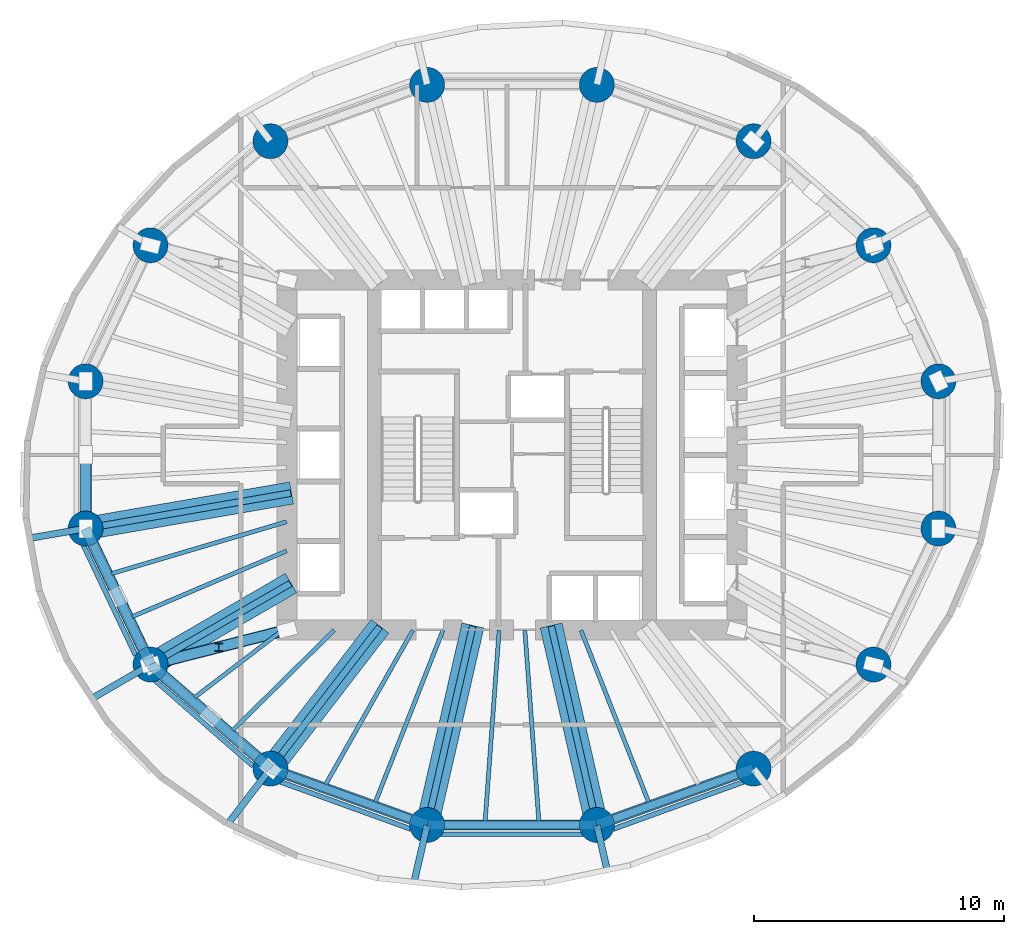
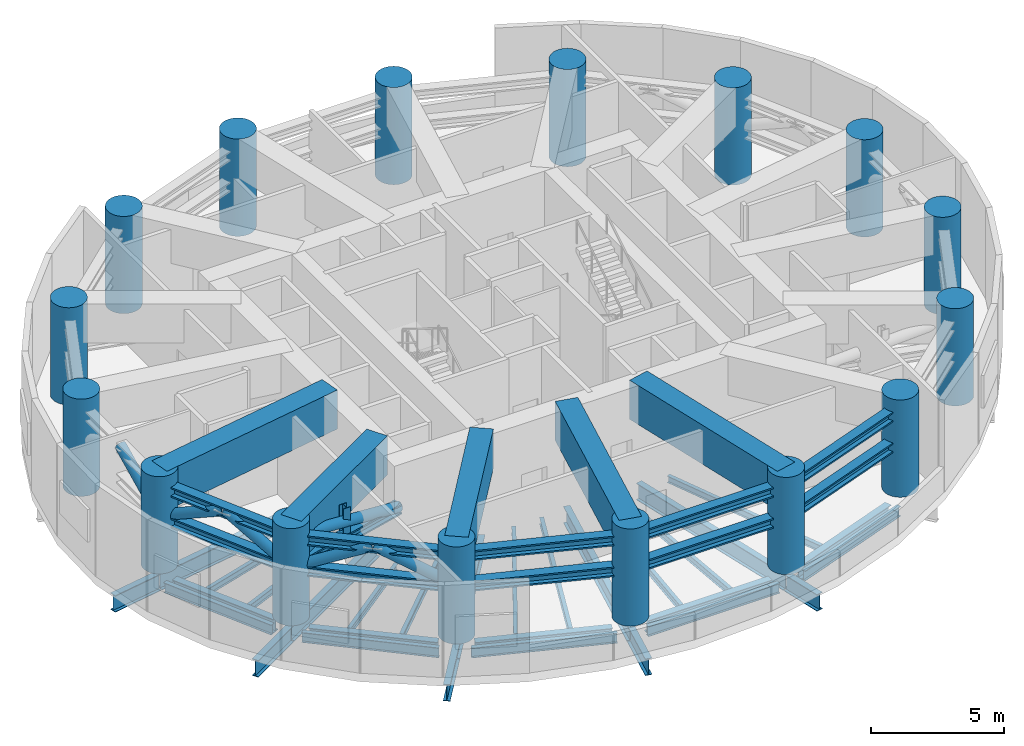
# One storey, part 1 of 8: 34 beams, 18 members, 16 columns.
"""IFC4 building model written with IfcOpenShell, lengths in metres."""

import ifcopenshell
import ifcopenshell.guid

model = None  # the IFC model being written
_history = None  # IfcOwnerHistory: only IFC2X3 demands one
_inside = {}  # id of a spatial element -> (the spatial element, [elements in it])
_under = {}  # id of a project, library or spatial element -> (it, [spatial elements below it])
_declared = {}  # id of a project -> (the project, [libraries it declares])
_typed = {}  # id of a type object -> (the type object, [elements of that type])
_made_of = {}  # id of a material, layer set ... -> (it, [elements and type objects made of it])


def new_model(schema):
    """Start an empty IFC model of exactly this schema.

    Asked for "IFC4X3", IfcOpenShell would pick the latest addendum, in which some entities
    have other attributes; the version numbers below select the first issue.
    IFC2X3 requires an IfcOwnerHistory on every rooted entity: one is made here for all.
    """
    global model, _history
    if schema == "IFC4X3":
        model = ifcopenshell.file(schema_version=(4, 3, 0, 0))
    else:
        model = ifcopenshell.file(schema=schema)
    _inside.clear()
    _under.clear()
    _declared.clear()
    _typed.clear()
    _made_of.clear()
    _history = None
    if model.schema == "IFC2X3":
        org = make("IfcOrganization", Name="unknown")
        user = make(
            "IfcPersonAndOrganization",
            ThePerson=make("IfcPerson", FamilyName="unknown"),
            TheOrganization=org,
        )
        app = make(
            "IfcApplication",
            ApplicationDeveloper=org,
            Version="unknown",
            ApplicationFullName="unknown",
            ApplicationIdentifier="unknown",
        )
        _history = make(
            "IfcOwnerHistory",
            OwningUser=user,
            OwningApplication=app,
            ChangeAction="ADDED",
            CreationDate=0,
        )
    return model


def make(cls, **values):
    """One entity of the class cls with the attributes given. An attribute that is None is left unset."""
    return model.create_entity(
        cls, **{name: value for name, value in values.items() if value is not None}
    )


def rooted(cls, **values):
    """An entity with a GlobalId (a new one), such as an element, a storey or a relation."""
    return make(cls, GlobalId=ifcopenshell.guid.new(), OwnerHistory=_history, **values)


def si_unit(unit_type, name, prefix=None):
    """IfcSIUnit, for example si_unit("LENGTHUNIT", "METRE", prefix="MILLI")."""
    return make("IfcSIUnit", UnitType=unit_type, Prefix=prefix, Name=name)


def assignment(units):
    """IfcUnitAssignment: the units of a project."""
    return None if units is None else make("IfcUnitAssignment", Units=units)


def point(xyz):
    """IfcCartesianPoint."""
    return None if xyz is None else make("IfcCartesianPoint", Coordinates=xyz)


def direction(xyz):
    """IfcDirection."""
    return None if xyz is None else make("IfcDirection", DirectionRatios=xyz)


def frame(location, z_axis=None, x_axis=None):
    """IfcAxis2Placement3D, a coordinate frame: its origin and axes. An axis left out is left unset."""
    return make(
        "IfcAxis2Placement3D",
        Location=point(location),
        Axis=direction(z_axis),
        RefDirection=direction(x_axis),
    )


def frame_2d(location, x_axis=None):
    """IfcAxis2Placement2D, a coordinate frame in the plane: its origin and x axis."""
    return make(
        "IfcAxis2Placement2D", Location=point(location), RefDirection=direction(x_axis)
    )


def origin():
    """The frame at (0, 0, 0) with its axes left unset."""
    return frame((0.0, 0.0, 0.0))


def origin_2d():
    """The frame at (0, 0) in the plane with its x axis left unset."""
    return frame_2d((0.0, 0.0))


def place(relative_to, where):
    """IfcLocalPlacement: puts the frame where relative to a parent placement (None: the world)."""
    return make(
        "IfcLocalPlacement", PlacementRelTo=relative_to, RelativePlacement=where
    )


def context(
    kind, dimensions, precision=None, world=None, true_north=None, identifier=None
):
    """IfcGeometricRepresentationContext, for example the 3D "Model" context."""
    return make(
        "IfcGeometricRepresentationContext",
        ContextIdentifier=identifier,
        ContextType=kind,
        CoordinateSpaceDimension=dimensions,
        Precision=precision,
        WorldCoordinateSystem=world,
        TrueNorth=true_north,
    )


def subcontext(parent, identifier, kind, view, scale=None):
    """IfcGeometricRepresentationSubContext, for example "Body" below "Model"."""
    return make(
        "IfcGeometricRepresentationSubContext",
        ContextIdentifier=identifier,
        ContextType=kind,
        ParentContext=parent,
        TargetScale=scale,
        TargetView=view,
    )


def project(units=None, contexts=None):
    """IfcProject with its units and contexts."""
    return rooted(
        "IfcProject",
        Name="project",
        RepresentationContexts=contexts,
        UnitsInContext=assignment(units),
    )


def spatial(cls, under=None, at=None, **own):
    """A site, building, storey or space (cls), placed at a placement, below another one or the project."""
    s = rooted(cls, ObjectPlacement=at, **own)
    if under is not None:
        _under.setdefault(under.id(), (under, []))[1].append(s)
    return s


def profile(cls, at=None, kind="AREA", **sizes):
    """A parametric profile (cls). Its sizes go by their IFC names, for example OverallWidth=200.0."""
    return make(cls, ProfileType=kind, Position=at, **sizes)


def rectangle(**sizes):
    """IfcRectangleProfileDef."""
    return profile("IfcRectangleProfileDef", **sizes)


def circle(**sizes):
    """IfcCircleProfileDef."""
    return profile("IfcCircleProfileDef", **sizes)


def hollow_circle(**sizes):
    """IfcCircleHollowProfileDef."""
    return profile("IfcCircleHollowProfileDef", **sizes)


def i_section(**sizes):
    """IfcIShapeProfileDef."""
    return profile("IfcIShapeProfileDef", **sizes)


def extrude(swept, where, along, depth):
    """IfcExtrudedAreaSolid: the profile swept, set in the frame where, extruded along a direction by depth."""
    return make(
        "IfcExtrudedAreaSolid",
        SweptArea=swept,
        Position=where,
        ExtrudedDirection=direction(along),
        Depth=depth,
    )


def shape(context_of_items, identifier, shape_type, items):
    """IfcShapeRepresentation: the items that make up one representation, for example the "Body"."""
    return make(
        "IfcShapeRepresentation",
        ContextOfItems=context_of_items,
        RepresentationIdentifier=identifier,
        RepresentationType=shape_type,
        Items=items,
    )


def material(Name=None, Category=None):
    """IfcMaterial."""
    return make("IfcMaterial", Name=Name, Category=Category)


def material_profile(
    of_material, cross_section, Name=None, Category=None, Priority=None
):
    """IfcMaterialProfile: a cross section and its material."""
    return make(
        "IfcMaterialProfile",
        Name=Name,
        Material=of_material,
        Profile=cross_section,
        Priority=Priority,
        Category=Category,
    )


def profile_set(profiles, Name=None, composite=None):
    """IfcMaterialProfileSet."""
    return make(
        "IfcMaterialProfileSet",
        Name=Name,
        MaterialProfiles=profiles,
        CompositeProfile=composite,
    )


def made_of(thing, what):
    """Note that an element or type object is made of a material, layer set ...; save() writes the relation."""
    if what is not None:
        _made_of.setdefault(what.id(), (what, []))[1].append(thing)
    return thing


def type_object(cls, material=None, **own):
    """A type object (cls), such as IfcWallType, which elements share."""
    return made_of(rooted(cls, **own), material)


def element(
    cls,
    number,
    at=None,
    inside=None,
    cuts=None,
    type_object=None,
    material=None,
    context=None,
    identifier="Body",
    shape_type=None,
    held_by="IfcProductDefinitionShape",
    body=None,
    shapes=None,
    **own,
):
    """One element of the class cls, such as IfcWall. Its Tag is "e" and its number.

    at: its placement. inside: the storey or other place that contains it. cuts: it is an
    opening in that element (IfcRelVoidsElement). A single representation is given by context,
    identifier, shape_type and body (its items); several are given by shapes. held_by: the class
    of the entity that holds the representations. save() writes the other relations.
    """
    e = rooted(cls, Tag="e%d" % number, ObjectPlacement=at, **own)
    if body is not None:
        shapes = [shape(context, identifier, shape_type, body)]
    if shapes is not None:
        e.Representation = make(held_by, Representations=shapes)
    if inside is not None:
        _inside.setdefault(inside.id(), (inside, []))[1].append(e)
    if cuts is not None:
        rooted(
            "IfcRelVoidsElement", RelatingBuildingElement=cuts, RelatedOpeningElement=e
        )
    if type_object is not None:
        _typed.setdefault(type_object.id(), (type_object, []))[1].append(e)
    return made_of(e, material)


def aggregate(whole, parts):
    """IfcRelAggregates: a whole, such as a stair, and the parts it consists of."""
    return rooted("IfcRelAggregates", RelatingObject=whole, RelatedObjects=parts)


def save(model, path):
    """Write the relations noted so far, then the file.

    IfcRelAggregates (storeys below a building ...), IfcRelContainedInSpatialStructure (elements
    in a storey), IfcRelDefinesByType, IfcRelAssociatesMaterial and IfcRelDeclares: one each for
    every whole, place, type object, material and project.
    """
    for whole, parts in _under.values():
        aggregate(whole, parts)
    for where, things in _inside.values():
        rooted(
            "IfcRelContainedInSpatialStructure",
            RelatedElements=things,
            RelatingStructure=where,
        )
    for kind, things in _typed.values():
        rooted("IfcRelDefinesByType", RelatedObjects=things, RelatingType=kind)
    for what, things in _made_of.values():
        rooted("IfcRelAssociatesMaterial", RelatedObjects=things, RelatingMaterial=what)
    for by, libraries in _declared.values():
        rooted("IfcRelDeclares", RelatingContext=by, RelatedDefinitions=libraries)
    model.write(path)


model = new_model("IFC4")

# Units and contexts
model_context = context("Model", 3, precision=1e-05, world=origin(), true_north=direction((0.0, 1.0)))
body_context = subcontext(model_context, "Body", "Model", "MODEL_VIEW")
ifc_project = project(units=[si_unit("LENGTHUNIT", "METRE"), si_unit("AREAUNIT", "SQUARE_METRE"), si_unit("VOLUMEUNIT", "CUBIC_METRE"), si_unit("PLANEANGLEUNIT", "RADIAN"), si_unit("MASSUNIT", "GRAM", prefix="KILO")], contexts=[model_context])

# Site, building, storey
site_placement = place(None, origin())
site = spatial("IfcSite", under=ifc_project, at=site_placement, CompositionType="ELEMENT")
building_placement = place(site_placement, origin())
building = spatial("IfcBuilding", under=site, at=building_placement, Name="Veldorim Arch Residences", CompositionType="ELEMENT")
storey_placement = place(building_placement, frame((0.0, 0.0, 66.39990234375)))
storey = spatial("IfcBuildingStorey", under=building, at=storey_placement, Name="L19", CompositionType="ELEMENT", Elevation=66.39990234375)

# Columns
ifc_material_1 = material(Name="Concrete C60/75", Category="concrete")
ifc_material_profile_1 = material_profile(ifc_material_1, circle(Radius=0.699951171875, at=origin_2d()), Name="RC_CIRC_1400")
ifc_profile_set_1 = profile_set([ifc_material_profile_1], Name="Concrete C60/75")
column_type = type_object("IfcColumnType", Name="Structural Column RC_CIRC_1400", PredefinedType="COLUMN", material=ifc_profile_set_1)
for number, where, z_axis, x_axis, name in (
    (1, (49.065673828125, 26.94580078125, 0.0), (0.0, 0.0, 1.0), (1.0, 0.0, 0.0), "L19 TC-Z1-01 perimeter column"),
    (2, (46.467529296875, 32.38916015625, 0.0), (0.0, 0.0, 1.0), (1.0, 0.0, 0.0), "L19 TC-Z1-02 perimeter column"),
    (3, (41.6669921875, 36.55517578125, 0.0), (0.0, 0.0, 1.0), (1.0, 0.0, 0.0), "L19 TC-Z1-03 perimeter column"),
    (4, (35.39453125, 38.809814453125, 0.0), (0.0, 0.0, 1.0), (1.0, 0.0, 0.0), "L19 TC-Z1-04 perimeter column"),
    (5, (28.60546875, 38.809814453125, 0.0), (0.0, 0.0, 1.0), (1.0, 0.0, 0.0), "L19 TC-Z1-05 perimeter column"),
    (6, (22.3330078125, 36.55517578125, 0.0), (0.0, 0.0, 1.0), (1.0, 0.0, 0.0), "L19 TC-Z1-06 perimeter column"),
    (7, (17.532470703125, 32.38916015625, 0.0), (0.0, 0.0, 1.0), (1.0, 0.0, 0.0), "L19 TC-Z1-07 perimeter column"),
    (8, (14.934326171875, 26.94580078125, 0.0), (0.0, 0.0, 1.0), (1.0, 0.0, 0.0), "L19 TC-Z1-08 perimeter column"),
    (9, (14.934326171875, 21.05419921875, 0.0), (0.0, 0.0, 1.0), (1.0, 0.0, 0.0), "L19 TC-Z1-09 perimeter column"),
    (10, (17.532470703125, 15.61083984375, 0.0), (0.0, 0.0, 1.0), (1.0, 0.0, 0.0), "L19 TC-Z1-10 perimeter column"),
    (11, (22.3330078125, 11.44482421875, 0.0), (0.0, 0.0, 1.0), (1.0, 0.0, 0.0), "L19 TC-Z1-11 perimeter column"),
    (12, (28.60546875, 9.190185546875, 0.0), (0.0, 0.0, 1.0), (1.0, 0.0, 0.0), "L19 TC-Z1-12 perimeter column"),
    (13, (35.39453125, 9.190185546875, 0.0), (0.0, 0.0, 1.0), (1.0, 0.0, 0.0), "L19 TC-Z1-13 perimeter column"),
    (14, (41.6669921875, 11.44482421875, 0.0), (0.0, 0.0, 1.0), (1.0, 0.0, 0.0), "L19 TC-Z1-14 perimeter column"),
    (15, (46.467529296875, 15.61083984375, 0.0), (0.0, 0.0, 1.0), (1.0, 0.0, 0.0), "L19 TC-Z1-15 perimeter column"),
    (16, (49.065673828125, 21.05419921875, 0.0), (0.0, 0.0, 1.0), (1.0, 0.0, 0.0), "L19 TC-Z1-16 perimeter column"),
):
    element("IfcColumn", number, at=place(storey_placement, frame(where, z_axis=z_axis, x_axis=x_axis)), inside=storey, type_object=column_type, Name=name, PredefinedType="COLUMN", context=body_context, shape_type="SweptSolid", body=[
        extrude(circle(Radius=0.699951171875, at=origin_2d()), origin(), (0.0, 0.0, 1.0), 4.47998046875),
    ])

# Members
ifc_material_2 = material(Name="Steel S460", Category="steel")
ifc_material_profile_2 = material_profile(ifc_material_2, hollow_circle(Radius=0.228515625, WallThickness=0.030029296875, at=origin_2d()), Name="CHS457x30")
ifc_profile_set_2 = profile_set([ifc_material_profile_2], Name="Steel S460")
member_type_1 = type_object("IfcMemberType", Name="Crown Diagrid CHS457x30", PredefinedType="BRACE", material=ifc_profile_set_2)
member_1_placement = place(storey_placement, frame((14.934326171875, 21.05419921875, 2.239990234375), z_axis=(0.0, 0.900784326413, 0.434266735185), x_axis=(-1.0, 0.0, 0.0)))
element("IfcMember", 17, at=member_1_placement, inside=storey, type_object=member_type_1, Name="L19 belt truss chevron brace 08B", PredefinedType="BRACE", context=body_context, shape_type="SweptSolid", body=[
    extrude(hollow_circle(Radius=0.228515625, WallThickness=0.030029296875, at=origin_2d()), origin(), (0.0, 0.0, 1.0), 3.270263671875),
])
for number, where, z_axis, x_axis, name in (
    (18, (14.934326171875, 21.05419921875, 2.239990234375), (0.389706081504, -0.816471226576, 0.426032752511), (0.902469594312, 0.430753562194, 0.0), "L19 belt truss chevron brace 09A"),
    (19, (17.532470703125, 15.61083984375, 2.239990234375), (-0.389706081504, 0.816471226576, 0.426032752511), (-0.902469594312, -0.430753562194, 0.0), "L19 belt truss chevron brace 09B"),
):
    element("IfcMember", number, at=place(storey_placement, frame(where, z_axis=z_axis, x_axis=x_axis)), inside=storey, type_object=member_type_1, Name=name, PredefinedType="BRACE", context=body_context, shape_type="SweptSolid", body=[
        extrude(hollow_circle(Radius=0.228515625, WallThickness=0.030029296875, at=origin_2d()), origin(), (0.0, 0.0, 1.0), 3.33349609375),
    ])
for number, where, z_axis, x_axis, name in (
    (20, (17.532470703125, 15.61083984375, 2.239990234375), (0.689523739175, -0.598414865491, 0.407991007098), (0.655448058014, 0.755240255313, 0.0), "L19 belt truss chevron brace 10A"),
    (21, (22.3330078125, 11.44482421875, 2.239990234375), (-0.689560527729, 0.598385925812, 0.407971276424), (-0.655410030745, -0.755273256245, 0.0), "L19 belt truss chevron brace 10B"),
):
    element("IfcMember", number, at=place(storey_placement, frame(where, z_axis=z_axis, x_axis=x_axis)), inside=storey, type_object=member_type_1, Name=name, PredefinedType="BRACE", context=body_context, shape_type="SweptSolid", body=[
        extrude(hollow_circle(Radius=0.228515625, WallThickness=0.030029296875, at=origin_2d()), origin(), (0.0, 0.0, 1.0), 3.48095703125),
    ])
member_2_placement = place(storey_placement, frame((23.0, 17.0, 2.239990234375), z_axis=(-0.939880508049, -0.238799736138, 0.244129712673), x_axis=(0.246250643777, -0.969206180562, 0.0)))
element("IfcMember", 22, at=member_2_placement, inside=storey, type_object=member_type_1, Name="L19 outrigger truss diagonal 04", PredefinedType="BRACE", context=body_context, shape_type="SweptSolid", body=[
    extrude(hollow_circle(Radius=0.228515625, WallThickness=0.030029296875, at=origin_2d()), origin(), (0.0, 0.0, 1.0), 5.817138671875),
])

# Beams
ifc_material_3 = material(Name="Concrete C50/60", Category="concrete")
ifc_material_profile_3 = material_profile(ifc_material_3, rectangle(XDim=0.89990234375, YDim=1.800048828125, at=origin_2d()), Name="RC_RECT_900x1800")
ifc_profile_set_3 = profile_set([ifc_material_profile_3], Name="Concrete C50/60")
beam_type_1 = type_object("IfcBeamType", Name="Reinforced Concrete TRANSFER GIRDER RC_RECT_900x1800", PredefinedType="USERDEFINED", material=ifc_profile_set_3)
beam_1_placement = place(storey_placement, frame((23.177490234375, 22.47705078125, 3.580078125), z_axis=(-0.985427744157, -0.170094565009, 0.0), x_axis=(0.170094565009, -0.985427744157, 0.0)))
element("IfcBeam", 23, at=beam_1_placement, inside=storey, type_object=beam_type_1, Name="L19 zone-setback radial transfer girder 09", ObjectType="TRANSFER GIRDER", PredefinedType="USERDEFINED", context=body_context, shape_type="SweptSolid", body=[
    extrude(rectangle(XDim=0.89990234375, YDim=1.800048828125, at=origin_2d()), origin(), (0.0, 0.0, 1.0), 8.364990234375),
])
beam_2_placement = place(storey_placement, frame((23.15576171875, 18.87158203125, 3.580078125), z_axis=(-0.865082368042, -0.501629840124, 0.0), x_axis=(0.501629840124, -0.865082368042, 0.0)))
element("IfcBeam", 24, at=beam_2_placement, inside=storey, type_object=beam_type_1, Name="L19 zone-setback radial transfer girder 10", ObjectType="TRANSFER GIRDER", PredefinedType="USERDEFINED", context=body_context, shape_type="SweptSolid", body=[
    extrude(rectangle(XDim=0.89990234375, YDim=1.800048828125, at=origin_2d()), origin(), (0.0, 0.0, 1.0), 6.500244140625),
])
beam_3_placement = place(storey_placement, frame((26.72021484375, 17.142578125, 3.580078125), z_axis=(-0.610088058259, -0.792333617342, 0.0), x_axis=(0.792333617342, -0.610088058259, 0.0)))
element("IfcBeam", 25, at=beam_3_placement, inside=storey, type_object=beam_type_1, Name="L19 zone-setback radial transfer girder 11", ObjectType="TRANSFER GIRDER", PredefinedType="USERDEFINED", context=body_context, shape_type="SweptSolid", body=[
    extrude(rectangle(XDim=0.89990234375, YDim=1.800048828125, at=origin_2d()), origin(), (0.0, 0.0, 1.0), 7.191162109375),
])
for number, where, z_axis, x_axis, name in (
    (26, (30.435791015625, 17.175537109375, 3.580078125), (-0.223416267343, -0.974723125552, 0.0), (0.974723125552, -0.223416267343, 0.0), "L19 zone-setback radial transfer girder 12"),
    (27, (33.564208984375, 17.175537109375, 3.580078125), (0.223416267343, -0.974723125552, 0.0), (0.974723125552, 0.223416267343, 0.0), "L19 zone-setback radial transfer girder 13"),
):
    element("IfcBeam", number, at=place(storey_placement, frame(where, z_axis=z_axis, x_axis=x_axis)), inside=storey, type_object=beam_type_1, Name=name, ObjectType="TRANSFER GIRDER", PredefinedType="USERDEFINED", context=body_context, shape_type="SweptSolid", body=[
        extrude(rectangle(XDim=0.89990234375, YDim=1.800048828125, at=origin_2d()), origin(), (0.0, 0.0, 1.0), 8.1923828125),
    ])
ifc_material_4 = material(Name="Steel S355", Category="steel")
ifc_material_profile_4 = material_profile(ifc_material_4, i_section(OverallWidth=0.30712890625, OverallDepth=0.6201171875, WebThickness=0.01416015625, FlangeThickness=0.023681640625, at=origin_2d()), Name="UB610x305x179")
ifc_profile_set_4 = profile_set([ifc_material_profile_4], Name="Steel S355")
beam_type_2 = type_object("IfcBeamType", Name="Structural Steel Beam UB610x305x179", PredefinedType="BEAM", material=ifc_profile_set_4)
beam_4_placement = place(storey_placement, frame((15.23583984375, 20.42236328125, -0.7099609375), z_axis=(0.430776422552, -0.902458682585, 0.0), x_axis=(0.902458682585, 0.430776422552, 0.0)))
element("IfcBeam", 28, at=beam_4_placement, inside=storey, type_object=beam_type_2, Name="L19 perimeter ring tie beam 09", PredefinedType="BEAM", context=body_context, shape_type="SweptSolid", body=[
    extrude(i_section(OverallWidth=0.30712890625, OverallDepth=0.6201171875, WebThickness=0.01416015625, FlangeThickness=0.023681640625, at=origin_2d()), origin(), (0.0, 0.0, 1.0), 4.63134765625),
])
beam_5_placement = place(storey_placement, frame((18.06103515625, 15.152099609375, -0.7099609375), z_axis=(0.755264734985, -0.655419850239, 0.0), x_axis=(0.655419850239, 0.755264734985, 0.0)))
element("IfcBeam", 29, at=beam_5_placement, inside=storey, type_object=beam_type_2, Name="L19 perimeter ring tie beam 10", PredefinedType="BEAM", context=body_context, shape_type="SweptSolid", body=[
    extrude(i_section(OverallWidth=0.30712890625, OverallDepth=0.6201171875, WebThickness=0.01416015625, FlangeThickness=0.023681640625, at=origin_2d()), origin(), (0.0, 0.0, 1.0), 4.956298828125),
])
beam_6_placement = place(storey_placement, frame((22.99169921875, 11.2080078125, -0.7099609375), z_axis=(0.941058113369, -0.338244922006, 0.0), x_axis=(0.338244922006, 0.941058113369, 0.0)))
element("IfcBeam", 30, at=beam_6_placement, inside=storey, type_object=beam_type_2, Name="L19 perimeter ring tie beam 11", PredefinedType="BEAM", context=body_context, shape_type="SweptSolid", body=[
    extrude(i_section(OverallWidth=0.30712890625, OverallDepth=0.6201171875, WebThickness=0.01416015625, FlangeThickness=0.023681640625, at=origin_2d()), origin(), (0.0, 0.0, 1.0), 5.265380859375),
])
beam_7_placement = place(storey_placement, frame((29.305419921875, 9.190185546875, -0.7099609375), z_axis=(1.0, 0.0, 0.0), x_axis=(0.0, 1.0, 0.0)))
element("IfcBeam", 31, at=beam_7_placement, inside=storey, type_object=beam_type_2, Name="L19 perimeter ring tie beam 12", PredefinedType="BEAM", context=body_context, shape_type="SweptSolid", body=[
    extrude(i_section(OverallWidth=0.30712890625, OverallDepth=0.6201171875, WebThickness=0.01416015625, FlangeThickness=0.023681640625, at=origin_2d()), origin(), (0.0, 0.0, 1.0), 5.38916015625),
])
beam_8_placement = place(storey_placement, frame((36.05322265625, 9.427001953125, -0.7099609375), z_axis=(0.941058113369, 0.338244922006, 0.0), x_axis=(-0.338244922006, 0.941058113369, 0.0)))
element("IfcBeam", 32, at=beam_8_placement, inside=storey, type_object=beam_type_2, Name="L19 perimeter ring tie beam 13", PredefinedType="BEAM", context=body_context, shape_type="SweptSolid", body=[
    extrude(i_section(OverallWidth=0.30712890625, OverallDepth=0.6201171875, WebThickness=0.01416015625, FlangeThickness=0.023681640625, at=origin_2d()), origin(), (0.0, 0.0, 1.0), 5.265380859375),
])
ifc_material_5 = material(Name="Steel S355", Category="steel")
ifc_material_profile_5 = material_profile(ifc_material_5, i_section(OverallWidth=0.26806640625, OverallDepth=0.769775390625, WebThickness=0.015625, FlangeThickness=0.025390625, at=origin_2d()), Name="UB762x267x197")
ifc_profile_set_5 = profile_set([ifc_material_profile_5], Name="Steel S355")
beam_type_3 = type_object("IfcBeamType", Name="Structural Steel GIRDER UB762x267x197", PredefinedType="USERDEFINED", material=ifc_profile_set_5)
beam_9_placement = place(storey_placement, frame((23.147705078125, 22.471923828125, -0.784912109375), z_axis=(-0.985427548249, -0.170095699979, 0.0), x_axis=(0.170095699979, -0.985427548249, 0.0)))
element("IfcBeam", 33, at=beam_9_placement, inside=storey, type_object=beam_type_3, Name="L19 radial floor girder 09", ObjectType="GIRDER", PredefinedType="USERDEFINED", context=body_context, shape_type="SweptSolid", body=[
    extrude(i_section(OverallWidth=0.26806640625, OverallDepth=0.769775390625, WebThickness=0.015625, FlangeThickness=0.025390625, at=origin_2d()), origin(), (0.0, 0.0, 1.0), 8.314697265625),
])
beam_10_placement = place(storey_placement, frame((14.91455078125, 21.05078125, -0.784912109375), z_axis=(-0.985417723947, -0.170152606007, 0.0), x_axis=(0.170152606007, -0.985417723947, 0.0)))
element("IfcBeam", 34, at=beam_10_placement, inside=storey, type_object=beam_type_3, Name="L19 radial edge cantilever girder 09", ObjectType="GIRDER", PredefinedType="USERDEFINED", context=body_context, shape_type="SweptSolid", body=[
    extrude(i_section(OverallWidth=0.26806640625, OverallDepth=0.769775390625, WebThickness=0.015625, FlangeThickness=0.025390625, at=origin_2d()), origin(), (0.0, 0.0, 1.0), 2.2626953125),
])
beam_11_placement = place(storey_placement, frame((23.1298828125, 18.8564453125, -0.784912109375), z_axis=(-0.865088348752, -0.501619525989, 0.0), x_axis=(0.501619525989, -0.865088348752, 0.0)))
element("IfcBeam", 35, at=beam_11_placement, inside=storey, type_object=beam_type_3, Name="L19 radial floor girder 10", ObjectType="GIRDER", PredefinedType="USERDEFINED", context=body_context, shape_type="SweptSolid", body=[
    extrude(i_section(OverallWidth=0.26806640625, OverallDepth=0.769775390625, WebThickness=0.015625, FlangeThickness=0.025390625, at=origin_2d()), origin(), (0.0, 0.0, 1.0), 6.4501953125),
])
beam_12_placement = place(storey_placement, frame((17.51513671875, 15.600830078125, -0.784912109375), z_axis=(-0.86508305724, -0.501628651571, 0.0), x_axis=(0.501628651571, -0.86508305724, 0.0)))
element("IfcBeam", 36, at=beam_12_placement, inside=storey, type_object=beam_type_3, Name="L19 radial edge cantilever girder 10", ObjectType="GIRDER", PredefinedType="USERDEFINED", context=body_context, shape_type="SweptSolid", body=[
    extrude(i_section(OverallWidth=0.26806640625, OverallDepth=0.769775390625, WebThickness=0.015625, FlangeThickness=0.025390625, at=origin_2d()), origin(), (0.0, 0.0, 1.0), 2.6962890625),
])
beam_13_placement = place(storey_placement, frame((26.701904296875, 17.118896484375, -0.784912109375), z_axis=(-0.610082439157, -0.792337943956, 0.0), x_axis=(0.792337943956, -0.610082439157, 0.0)))
element("IfcBeam", 37, at=beam_13_placement, inside=storey, type_object=beam_type_3, Name="L19 radial floor girder 11", ObjectType="GIRDER", PredefinedType="USERDEFINED", context=body_context, shape_type="SweptSolid", body=[
    extrude(i_section(OverallWidth=0.26806640625, OverallDepth=0.769775390625, WebThickness=0.015625, FlangeThickness=0.025390625, at=origin_2d()), origin(), (0.0, 0.0, 1.0), 7.14111328125),
])
beam_14_placement = place(storey_placement, frame((22.32080078125, 11.428955078125, -0.784912109375), z_axis=(-0.610050554915, -0.792362493085, 0.0), x_axis=(0.792362493085, -0.610050554915, 0.0)))
element("IfcBeam", 38, at=beam_14_placement, inside=storey, type_object=beam_type_3, Name="L19 radial edge cantilever girder 11", ObjectType="GIRDER", PredefinedType="USERDEFINED", context=body_context, shape_type="SweptSolid", body=[
    extrude(i_section(OverallWidth=0.26806640625, OverallDepth=0.769775390625, WebThickness=0.015625, FlangeThickness=0.025390625, at=origin_2d()), origin(), (0.0, 0.0, 1.0), 2.77734375),
])
beam_15_placement = place(storey_placement, frame((30.428955078125, 17.146240234375, -0.784912109375), z_axis=(-0.223411766201, -0.974724157248, 0.0), x_axis=(0.974724157248, -0.223411766201, 0.0)))
element("IfcBeam", 39, at=beam_15_placement, inside=storey, type_object=beam_type_3, Name="L19 radial floor girder 12", ObjectType="GIRDER", PredefinedType="USERDEFINED", context=body_context, shape_type="SweptSolid", body=[
    extrude(i_section(OverallWidth=0.26806640625, OverallDepth=0.769775390625, WebThickness=0.015625, FlangeThickness=0.025390625, at=origin_2d()), origin(), (0.0, 0.0, 1.0), 8.142333984375),
])
beam_16_placement = place(storey_placement, frame((28.600830078125, 9.170654296875, -0.784912109375), z_axis=(-0.223361660635, -0.974735640345, 0.0), x_axis=(0.974735640345, -0.223361660635, 0.0)))
element("IfcBeam", 40, at=beam_16_placement, inside=storey, type_object=beam_type_3, Name="L19 radial edge cantilever girder 12", ObjectType="GIRDER", PredefinedType="USERDEFINED", context=body_context, shape_type="SweptSolid", body=[
    extrude(i_section(OverallWidth=0.26806640625, OverallDepth=0.769775390625, WebThickness=0.015625, FlangeThickness=0.025390625, at=origin_2d()), origin(), (0.0, 0.0, 1.0), 2.33349609375),
])
beam_17_placement = place(storey_placement, frame((33.571044921875, 17.146240234375, -0.784912109375), z_axis=(0.223411766201, -0.974724157248, 0.0), x_axis=(0.974724157248, 0.223411766201, 0.0)))
element("IfcBeam", 41, at=beam_17_placement, inside=storey, type_object=beam_type_3, Name="L19 radial floor girder 13", ObjectType="GIRDER", PredefinedType="USERDEFINED", context=body_context, shape_type="SweptSolid", body=[
    extrude(i_section(OverallWidth=0.26806640625, OverallDepth=0.769775390625, WebThickness=0.015625, FlangeThickness=0.025390625, at=origin_2d()), origin(), (0.0, 0.0, 1.0), 8.142333984375),
])
beam_18_placement = place(storey_placement, frame((35.399169921875, 9.170654296875, -0.784912109375), z_axis=(0.223328905736, -0.974743145584, 0.0), x_axis=(0.974743145584, 0.223328905736, 0.0)))
element("IfcBeam", 42, at=beam_18_placement, inside=storey, type_object=beam_type_3, Name="L19 radial edge cantilever girder 13", ObjectType="GIRDER", PredefinedType="USERDEFINED", context=body_context, shape_type="SweptSolid", body=[
    extrude(i_section(OverallWidth=0.26806640625, OverallDepth=0.769775390625, WebThickness=0.015625, FlangeThickness=0.025390625, at=origin_2d()), origin(), (0.0, 0.0, 1.0), 1.8408203125),
])
ifc_material_6 = material(Name="Steel S355", Category="steel")
ifc_material_profile_6 = material_profile(ifc_material_6, i_section(OverallWidth=0.165771484375, OverallDepth=0.306640625, WebThickness=0.006591796875, FlangeThickness=0.01171875, at=origin_2d()), Name="UB305x165x46")
ifc_profile_set_6 = profile_set([ifc_material_profile_6], Name="Steel S355")
beam_type_4 = type_object("IfcBeamType", Name="Structural Steel Joist UB305x165x46", PredefinedType="JOIST", material=ifc_profile_set_6)
beam_19_placement = place(storey_placement, frame((22.980712890625, 21.32666015625, -0.55322265625), z_axis=(-0.958766778771, -0.284194060325, 0.0), x_axis=(0.284194060325, -0.958766778771, 0.0)))
element("IfcBeam", 43, at=beam_19_placement, inside=storey, type_object=beam_type_4, Name="L19 secondary radial floor joist 09-1", PredefinedType="JOIST", context=body_context, shape_type="SweptSolid", body=[
    extrude(i_section(OverallWidth=0.165771484375, OverallDepth=0.306640625, WebThickness=0.006591796875, FlangeThickness=0.01171875, at=origin_2d()), origin(), (0.0, 0.0, 1.0), 7.3115234375),
])
beam_20_placement = place(storey_placement, frame((22.981689453125, 20.15869140625, -0.55322265625), z_axis=(-0.920032948668, -0.391841005213, 0.0), x_axis=(0.391841005213, -0.920032948668, 0.0)))
element("IfcBeam", 44, at=beam_20_placement, inside=storey, type_object=beam_type_4, Name="L19 secondary radial floor joist 09-2", PredefinedType="JOIST", context=body_context, shape_type="SweptSolid", body=[
    extrude(i_section(OverallWidth=0.165771484375, OverallDepth=0.306640625, WebThickness=0.006591796875, FlangeThickness=0.01171875, at=origin_2d()), origin(), (0.0, 0.0, 1.0), 6.723388671875),
])
beam_21_placement = place(storey_placement, frame((22.984130859375, 17.1123046875, -0.55322265625), z_axis=(-0.794666431166, -0.607046343517, 0.0), x_axis=(0.607046343517, -0.794666431166, 0.0)))
element("IfcBeam", 45, at=beam_21_placement, inside=storey, type_object=beam_type_4, Name="L19 secondary radial floor joist 10-1", PredefinedType="JOIST", context=body_context, shape_type="SweptSolid", body=[
    extrude(i_section(OverallWidth=0.165771484375, OverallDepth=0.306640625, WebThickness=0.006591796875, FlangeThickness=0.01171875, at=origin_2d()), origin(), (0.0, 0.0, 1.0), 4.646728515625),
])
beam_22_placement = place(storey_placement, frame((24.885009765625, 16.986083984375, -0.55322265625), z_axis=(-0.712129078446, -0.702048556463, 0.0), x_axis=(0.702048556463, -0.712129078446, 0.0)))
element("IfcBeam", 46, at=beam_22_placement, inside=storey, type_object=beam_type_4, Name="L19 secondary radial floor joist 10-2", PredefinedType="JOIST", context=body_context, shape_type="SweptSolid", body=[
    extrude(i_section(OverallWidth=0.165771484375, OverallDepth=0.306640625, WebThickness=0.006591796875, FlangeThickness=0.01171875, at=origin_2d()), origin(), (0.0, 0.0, 1.0), 5.715576171875),
])
beam_23_placement = place(storey_placement, frame((28.03125, 16.982666015625, -0.55322265625), z_axis=(-0.492292335352, -0.870429926274, 0.0), x_axis=(0.870429926274, -0.492292335352, 0.0)))
element("IfcBeam", 47, at=beam_23_placement, inside=storey, type_object=beam_type_4, Name="L19 secondary radial floor joist 11-1", PredefinedType="JOIST", context=body_context, shape_type="SweptSolid", body=[
    extrude(i_section(OverallWidth=0.165771484375, OverallDepth=0.306640625, WebThickness=0.006591796875, FlangeThickness=0.01171875, at=origin_2d()), origin(), (0.0, 0.0, 1.0), 7.083251953125),
])
beam_24_placement = place(storey_placement, frame((29.237548828125, 16.9814453125, -0.55322265625), z_axis=(-0.366229833858, -0.930524426758, 0.0), x_axis=(0.930524426758, -0.366229833858, 0.0)))
element("IfcBeam", 48, at=beam_24_placement, inside=storey, type_object=beam_type_4, Name="L19 secondary radial floor joist 11-2", PredefinedType="JOIST", context=body_context, shape_type="SweptSolid", body=[
    extrude(i_section(OverallWidth=0.165771484375, OverallDepth=0.306640625, WebThickness=0.006591796875, FlangeThickness=0.01171875, at=origin_2d()), origin(), (0.0, 0.0, 1.0), 7.3896484375),
])
for number, where, z_axis, x_axis, name in (
    (49, (31.485107421875, 16.97998046875, -0.55322265625), (-0.073167620373, -0.997319657547, 0.0), (0.997319657547, -0.073167620373, 0.0), "L19 secondary radial floor joist 12-1"),
    (50, (32.514892578125, 16.97998046875, -0.55322265625), (0.073167620373, -0.997319657547, 0.0), (0.997319657547, 0.073167620373, 0.0), "L19 secondary radial floor joist 12-2"),
):
    element("IfcBeam", number, at=place(storey_placement, frame(where, z_axis=z_axis, x_axis=x_axis)), inside=storey, type_object=beam_type_4, Name=name, PredefinedType="JOIST", context=body_context, shape_type="SweptSolid", body=[
        extrude(i_section(OverallWidth=0.165771484375, OverallDepth=0.306640625, WebThickness=0.006591796875, FlangeThickness=0.01171875, at=origin_2d()), origin(), (0.0, 0.0, 1.0), 7.651123046875),
    ])
beam_25_placement = place(storey_placement, frame((34.762451171875, 16.9814453125, -0.55322265625), z_axis=(0.366229833858, -0.930524426758, 0.0), x_axis=(0.930524426758, 0.366229833858, 0.0)))
element("IfcBeam", 51, at=beam_25_placement, inside=storey, type_object=beam_type_4, Name="L19 secondary radial floor joist 13-1", PredefinedType="JOIST", context=body_context, shape_type="SweptSolid", body=[
    extrude(i_section(OverallWidth=0.165771484375, OverallDepth=0.306640625, WebThickness=0.006591796875, FlangeThickness=0.01171875, at=origin_2d()), origin(), (0.0, 0.0, 1.0), 7.3896484375),
])
ifc_material_7 = material(Name="Steel S355", Category="steel")
ifc_material_profile_7 = material_profile(ifc_material_7, i_section(OverallWidth=0.19140625, OverallDepth=0.4599609375, WebThickness=0.010009765625, FlangeThickness=0.01611328125, at=origin_2d()), Name="UB457x191x82")
ifc_profile_set_7 = profile_set([ifc_material_profile_7], Name="Steel S355")
beam_type_5 = type_object("IfcBeamType", Name="Structural Steel Spandrel UB457x191x82", PredefinedType="SPANDREL", material=ifc_profile_set_7)
beam_26_placement = place(storey_placement, frame((14.823974609375, 20.43310546875, -0.64990234375), z_axis=(0.428847831425, -0.903376741721, 0.0), x_axis=(0.903376741721, 0.428847831425, 0.0)))
element("IfcBeam", 52, at=beam_26_placement, inside=storey, type_object=beam_type_5, Name="L19 perimeter chord spandrel beam 09", PredefinedType="SPANDREL", context=body_context, shape_type="SweptSolid", body=[
    extrude(i_section(OverallWidth=0.19140625, OverallDepth=0.4599609375, WebThickness=0.010009765625, FlangeThickness=0.01611328125, at=origin_2d()), origin(), (0.0, 0.0, 1.0), 4.932861328125),
])
beam_27_placement = place(storey_placement, frame((17.667724609375, 15.01513671875, -0.64990234375), z_axis=(0.75323350982, -0.657753205758, 0.0), x_axis=(0.657753205758, 0.75323350982, 0.0)))
element("IfcBeam", 53, at=beam_27_placement, inside=storey, type_object=beam_type_5, Name="L19 perimeter chord spandrel beam 10", PredefinedType="SPANDREL", context=body_context, shape_type="SweptSolid", body=[
    extrude(i_section(OverallWidth=0.19140625, OverallDepth=0.4599609375, WebThickness=0.010009765625, FlangeThickness=0.01611328125, at=origin_2d()), origin(), (0.0, 0.0, 1.0), 5.27001953125),
])
beam_28_placement = place(storey_placement, frame((22.680419921875, 10.93408203125, -0.64990234375), z_axis=(0.940268980555, -0.340432437064, 0.0), x_axis=(0.340432437064, 0.940268980555, 0.0)))
element("IfcBeam", 54, at=beam_28_placement, inside=storey, type_object=beam_type_5, Name="L19 perimeter chord spandrel beam 11", PredefinedType="SPANDREL", context=body_context, shape_type="SweptSolid", body=[
    extrude(i_section(OverallWidth=0.19140625, OverallDepth=0.4599609375, WebThickness=0.010009765625, FlangeThickness=0.01611328125, at=origin_2d()), origin(), (0.0, 0.0, 1.0), 5.59521484375),
])
beam_29_placement = place(storey_placement, frame((29.136474609375, 8.819580078125, -0.64990234375), z_axis=(1.0, 0.0, 0.0), x_axis=(0.0, 1.0, 0.0)))
element("IfcBeam", 55, at=beam_29_placement, inside=storey, type_object=beam_type_5, Name="L19 perimeter chord spandrel beam 12", PredefinedType="SPANDREL", context=body_context, shape_type="SweptSolid", body=[
    extrude(i_section(OverallWidth=0.19140625, OverallDepth=0.4599609375, WebThickness=0.010009765625, FlangeThickness=0.01611328125, at=origin_2d()), origin(), (0.0, 0.0, 1.0), 5.72705078125),
])
beam_30_placement = place(storey_placement, frame((36.05859375, 9.029296875, -0.64990234375), z_axis=(0.940268980555, 0.340432437064, 0.0), x_axis=(-0.340432437064, 0.940268980555, 0.0)))
element("IfcBeam", 56, at=beam_30_placement, inside=storey, type_object=beam_type_5, Name="L19 perimeter chord spandrel beam 13", PredefinedType="SPANDREL", context=body_context, shape_type="SweptSolid", body=[
    extrude(i_section(OverallWidth=0.19140625, OverallDepth=0.4599609375, WebThickness=0.010009765625, FlangeThickness=0.01611328125, at=origin_2d()), origin(), (0.0, 0.0, 1.0), 5.59521484375),
])

# Members
ifc_material_8 = material(Name="Steel S460", Category="steel")
ifc_material_profile_8 = material_profile(ifc_material_8, i_section(OverallWidth=0.41845703125, OverallDepth=0.45556640625, WebThickness=0.0419921875, FlangeThickness=0.0673828125, at=origin_2d()), Name="UC356x406x551")
ifc_profile_set_8 = profile_set([ifc_material_profile_8], Name="Steel S460")
member_type_2 = type_object("IfcMemberType", Name="Truss Chord UC356x406x551", PredefinedType="CHORD", material=ifc_profile_set_8)
for number, where, z_axis, x_axis, name in (
    (57, (14.934326171875, 21.05419921875, 2.239990234375), (0.430753562194, -0.902469594312, 0.0), (0.902469594312, 0.430753562194, 0.0), "L19 belt truss bottom chord 09"),
    (58, (14.934326171875, 21.05419921875, 3.66015625), (0.430753562194, -0.902469594312, 0.0), (0.902469594312, 0.430753562194, 0.0), "L19 belt truss top chord 09"),
):
    element("IfcMember", number, at=place(storey_placement, frame(where, z_axis=z_axis, x_axis=x_axis)), inside=storey, type_object=member_type_2, Name=name, PredefinedType="CHORD", context=body_context, shape_type="SweptSolid", body=[
        extrude(i_section(OverallWidth=0.41845703125, OverallDepth=0.45556640625, WebThickness=0.0419921875, FlangeThickness=0.0673828125, at=origin_2d()), origin(), (0.0, 0.0, 1.0), 6.03173828125),
    ])
for number, where, z_axis, x_axis, name in (
    (59, (17.532470703125, 15.61083984375, 2.239990234375), (0.755256756497, -0.655429044035, 0.0), (0.655429044035, 0.755256756497, 0.0), "L19 belt truss bottom chord 10"),
    (60, (17.532470703125, 15.61083984375, 3.66015625), (0.755256756497, -0.655429044035, 0.0), (0.655429044035, 0.755256756497, 0.0), "L19 belt truss top chord 10"),
):
    element("IfcMember", number, at=place(storey_placement, frame(where, z_axis=z_axis, x_axis=x_axis)), inside=storey, type_object=member_type_2, Name=name, PredefinedType="CHORD", context=body_context, shape_type="SweptSolid", body=[
        extrude(i_section(OverallWidth=0.41845703125, OverallDepth=0.45556640625, WebThickness=0.0419921875, FlangeThickness=0.0673828125, at=origin_2d()), origin(), (0.0, 0.0, 1.0), 6.356201171875),
    ])
for number, where, z_axis, x_axis, name in (
    (61, (22.3330078125, 11.44482421875, 2.239990234375), (0.941052127441, -0.338261575468, 0.0), (0.338261575468, 0.941052127441, 0.0), "L19 belt truss bottom chord 11"),
    (62, (22.3330078125, 11.44482421875, 3.66015625), (0.941052127441, -0.338261575468, 0.0), (0.338261575468, 0.941052127441, 0.0), "L19 belt truss top chord 11"),
):
    element("IfcMember", number, at=place(storey_placement, frame(where, z_axis=z_axis, x_axis=x_axis)), inside=storey, type_object=member_type_2, Name=name, PredefinedType="CHORD", context=body_context, shape_type="SweptSolid", body=[
        extrude(i_section(OverallWidth=0.41845703125, OverallDepth=0.45556640625, WebThickness=0.0419921875, FlangeThickness=0.0673828125, at=origin_2d()), origin(), (0.0, 0.0, 1.0), 6.665283203125),
    ])
for number, where, z_axis, x_axis, name in (
    (63, (28.60546875, 9.190185546875, 2.239990234375), (1.0, 0.0, 0.0), (0.0, 1.0, 0.0), "L19 belt truss bottom chord 12"),
    (64, (28.60546875, 9.190185546875, 3.66015625), (1.0, 0.0, 0.0), (0.0, 1.0, 0.0), "L19 belt truss top chord 12"),
):
    element("IfcMember", number, at=place(storey_placement, frame(where, z_axis=z_axis, x_axis=x_axis)), inside=storey, type_object=member_type_2, Name=name, PredefinedType="CHORD", context=body_context, shape_type="SweptSolid", body=[
        extrude(i_section(OverallWidth=0.41845703125, OverallDepth=0.45556640625, WebThickness=0.0419921875, FlangeThickness=0.0673828125, at=origin_2d()), origin(), (0.0, 0.0, 1.0), 6.7890625),
    ])
for number, where, z_axis, x_axis, name in (
    (65, (35.39453125, 9.190185546875, 2.239990234375), (0.941052127441, 0.338261575468, 0.0), (-0.338261575468, 0.941052127441, 0.0), "L19 belt truss bottom chord 13"),
    (66, (35.39453125, 9.190185546875, 3.66015625), (0.941052127441, 0.338261575468, 0.0), (-0.338261575468, 0.941052127441, 0.0), "L19 belt truss top chord 13"),
):
    element("IfcMember", number, at=place(storey_placement, frame(where, z_axis=z_axis, x_axis=x_axis)), inside=storey, type_object=member_type_2, Name=name, PredefinedType="CHORD", context=body_context, shape_type="SweptSolid", body=[
        extrude(i_section(OverallWidth=0.41845703125, OverallDepth=0.45556640625, WebThickness=0.0419921875, FlangeThickness=0.0673828125, at=origin_2d()), origin(), (0.0, 0.0, 1.0), 6.665283203125),
    ])
member_3_placement = place(storey_placement, frame((23.0, 17.0, 2.239990234375), z_axis=(-0.969206180562, -0.246250643777, 0.0), x_axis=(0.246250643777, -0.969206180562, 0.0)))
element("IfcMember", 67, at=member_3_placement, inside=storey, type_object=member_type_2, Name="L19 outrigger truss bottom chord 04", PredefinedType="CHORD", context=body_context, shape_type="SweptSolid", body=[
    extrude(i_section(OverallWidth=0.41845703125, OverallDepth=0.45556640625, WebThickness=0.0419921875, FlangeThickness=0.0673828125, at=origin_2d()), origin(), (0.0, 0.0, 1.0), 5.641357421875),
])
ifc_material_9 = material(Name="Steel S460", Category="steel")
ifc_material_profile_9 = material_profile(ifc_material_9, i_section(OverallWidth=0.311279296875, OverallDepth=0.3271484375, WebThickness=0.015869140625, FlangeThickness=0.02490234375, at=origin_2d()), Name="UC305x305x158")
ifc_profile_set_9 = profile_set([ifc_material_profile_9], Name="Steel S460")
member_type_3 = type_object("IfcMemberType", Name="Truss Post UC305x305x158", PredefinedType="POST", material=ifc_profile_set_9)
member_4_placement = place(storey_placement, frame((20.26611328125, 16.305419921875, 2.239990234375), z_axis=(0.0, 0.0, 1.0), x_axis=(1.0, 0.0, 0.0)))
element("IfcMember", 68, at=member_4_placement, inside=storey, type_object=member_type_3, Name="L19 outrigger truss mid-post 04", PredefinedType="POST", context=body_context, shape_type="SweptSolid", body=[
    extrude(i_section(OverallWidth=0.311279296875, OverallDepth=0.3271484375, WebThickness=0.015869140625, FlangeThickness=0.02490234375, at=origin_2d()), origin(), (0.0, 0.0, 1.0), 1.420166015625),
])

save(model, "model.ifc")
